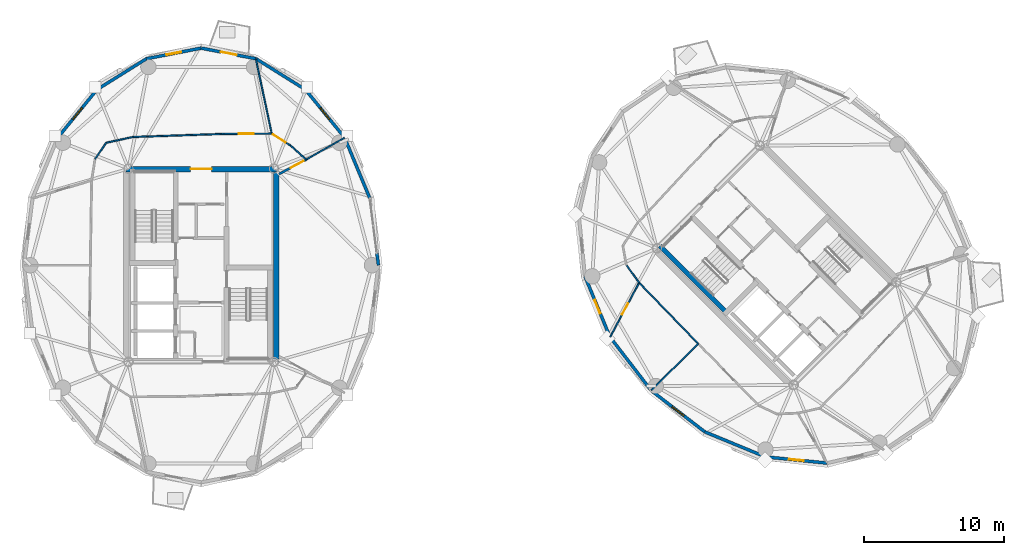
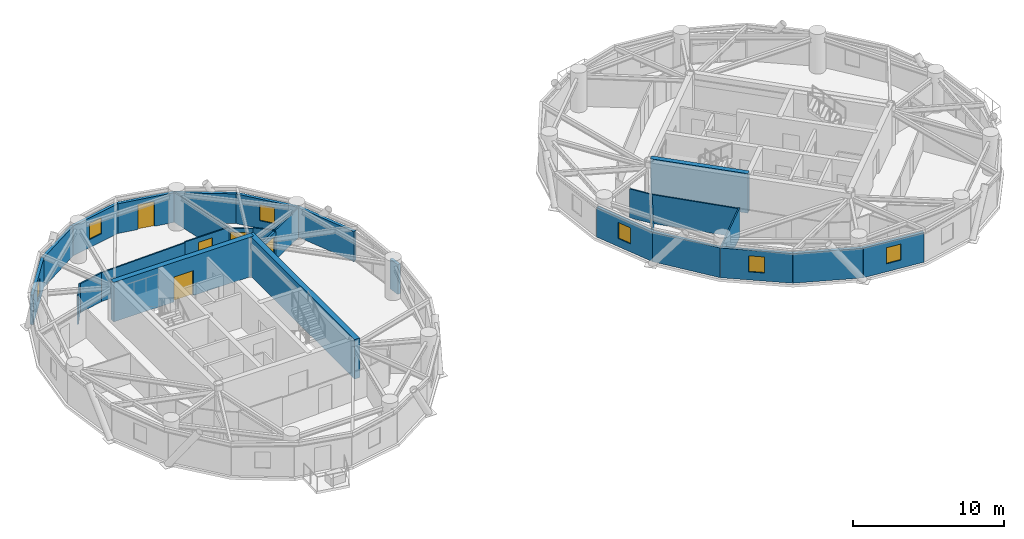
# One storey, part 9 of 15: 29 walls, 6 doors, 6 windows, 12 openings.
"""IFC4 building model written with IfcOpenShell, lengths in metres."""

from ifc_helpers import new_model, si_unit, direction, frame, frame_2d, origin, place, context, subcontext, project, spatial, rectangle, extrude, source, transform, mapped, material, layer, layer_set, type_object, element, fill, save


model = new_model("IFC4")

# Units and contexts
model_context = context("Model", 3, precision=1e-05, world=origin(), true_north=direction((0.0, 1.0)))
body_context = subcontext(model_context, "Body", "Model", "MODEL_VIEW")
ifc_project = project(units=[si_unit("LENGTHUNIT", "METRE"), si_unit("AREAUNIT", "SQUARE_METRE"), si_unit("VOLUMEUNIT", "CUBIC_METRE"), si_unit("PLANEANGLEUNIT", "RADIAN"), si_unit("MASSUNIT", "GRAM", prefix="KILO")], contexts=[model_context])

# Site, building, storey
site_placement = place(None, origin())
site = spatial("IfcSite", under=ifc_project, at=site_placement, CompositionType="ELEMENT")
building_placement = place(site_placement, origin())
building = spatial("IfcBuilding", under=site, at=building_placement, Name="Cununo Teusaquillo Station Towers", CompositionType="ELEMENT")
storey_placement = place(building_placement, frame((0.0, 0.0, 232.449951171875)))
storey = spatial("IfcBuildingStorey", under=building, at=storey_placement, Name="L74", CompositionType="ELEMENT", Elevation=232.449951171875)

# Walls
ifc_material_1 = material(Name="Concrete C50/60", Category="concrete")
ifc_layer_1 = layer(ifc_material_1, 0.35009765625)
ifc_layer_set_1 = layer_set([ifc_layer_1], Name="Concrete C50/60")
wall_type_1 = type_object("IfcWallType", Name="WL-CORE-350", PredefinedType="SHEAR", material=ifc_layer_set_1)
wall_1_placement = place(storey_placement, frame((53.922119140625, 21.14111328125, 0.0), z_axis=(0.0, 0.0, 1.0), x_axis=(-0.707106781187, 0.707106781187, 0.0)))
element("IfcWall", 1, at=wall_1_placement, inside=storey, type_object=wall_type_1, Name="L74 Tower B Core Shear Wall ST1W", PredefinedType="SHEAR", context=body_context, shape_type="SweptSolid", body=[
    extrude(rectangle(XDim=6.695068359375, YDim=0.35009765625, at=frame_2d((3.34765625, 0.0))), origin(), (0.0, 0.0, 1.0), 3.199951171875),
])
ifc_material_2 = material(Name="Concrete C50/60", Category="concrete")
ifc_layer_2 = layer(ifc_material_2, 0.39990234375)
ifc_layer_set_2 = layer_set([ifc_layer_2], Name="Concrete C50/60")
wall_type_2 = type_object("IfcWallType", Name="WL-CORE-400", PredefinedType="SHEAR", material=ifc_layer_set_2)
wall_2_placement = place(storey_placement, frame((21.85009765625, 17.449951171875, 0.0), z_axis=(0.0, 0.0, 1.0), x_axis=(0.0, 1.0, 0.0)))
element("IfcWall", 2, at=wall_2_placement, inside=storey, type_object=wall_type_2, Name="L74 Tower A Core Shear Wall E", PredefinedType="SHEAR", context=body_context, shape_type="SweptSolid", body=[
    extrude(rectangle(XDim=14.10009765625, YDim=0.39990234375, at=frame_2d((7.050048828125, 0.0))), origin(), (0.0, 0.0, 1.0), 3.199951171875),
])

# Wall, opening, door
wall_3_placement = place(storey_placement, frame((11.14990234375, 31.35009765625, 0.0), z_axis=(0.0, 0.0, 1.0), x_axis=(1.0, 0.0, 0.0)))
wall_3 = element("IfcWall", 3, at=wall_3_placement, inside=storey, type_object=wall_type_2, Name="L74 Tower A Core Shear Wall N", PredefinedType="SHEAR", context=body_context, shape_type="SweptSolid", body=[
    extrude(rectangle(XDim=10.7001953125, YDim=0.39990234375, at=frame_2d((5.35009765625, 0.0))), origin(), (0.0, 0.0, 1.0), 3.199951171875),
])
shared_shape_1 = source(origin(), body_context, "Body", "SweptSolid", [
    extrude(rectangle(XDim=1.5, YDim=2.02001953125, at=frame_2d((0.75, 1.010009765625))), frame((0.0, 0.2099609375, 0.0), z_axis=(0.0, -1.0, 0.0), x_axis=(1.0, 0.0, 0.0)), (0.0, 0.0, 1.0), 0.419921875),
])
opening_1_placement = place(wall_3_placement, frame((4.60009765625, 0.0, 0.0)))
opening_1 = element("IfcOpeningElement", 4, at=opening_1_placement, cuts=wall_3, Name="Opening D-LB1", PredefinedType="OPENING", context=body_context, shape_type="MappedRepresentation", body=[
    mapped(shared_shape_1, transform((0.0, 0.0, 0.0), x_axis=(1.0, 0.0, 0.0), y_axis=(0.0, 1.0, 0.0), z_axis=(0.0, 0.0, 1.0), scale=1.0)),
])
ifc_material_3 = material(Name="Galvanised fire-rated hollow steel door assembly", Category="steel")
door_type_1 = type_object("IfcDoorType", Name="DR-LOBBY-1500", OperationType="DOUBLE_DOOR_SINGLE_SWING", PredefinedType="DOOR", material=ifc_material_3)
shared_shape_2 = source(origin(), body_context, "Body", "SweptSolid", [
    extrude(rectangle(XDim=1.5, YDim=2.02001953125, at=frame_2d((0.75, 1.010009765625))), frame((0.0, 0.02490234375, 0.0), z_axis=(0.0, -1.0, 0.0), x_axis=(1.0, 0.0, 0.0)), (0.0, 0.0, 1.0), 0.050048828125),
])
door_1_placement = place(opening_1_placement, origin())
door_1 = element("IfcDoor", 5, at=door_1_placement, inside=storey, type_object=door_type_1, Name="L74 Tower A North Core Lift Lobby Door", OperationType="DOUBLE_DOOR_SINGLE_SWING", OverallHeight=2.02001953125, OverallWidth=1.5, PredefinedType="DOOR", context=body_context, shape_type="MappedRepresentation", body=[
    mapped(shared_shape_2, transform((0.0, 0.0, 0.0), x_axis=(1.0, 0.0, 0.0), y_axis=(0.0, 1.0, 0.0), z_axis=(0.0, 0.0, 1.0), scale=1.0)),
])
fill(opening_1, door_1)

# Walls
ifc_material_4 = material(Name="Precast concrete C40/50", Category="concrete")
ifc_layer_3 = layer(ifc_material_4, 0.219970703125)
ifc_layer_set_3 = layer_set([ifc_layer_3], Name="Precast concrete C40/50")
wall_type_3 = type_object("IfcWallType", Name="WL-EXT-220", PredefinedType="SOLIDWALL", material=ifc_layer_set_3)
wall_4_placement = place(storey_placement, frame((29.018310546875, 25.36279296875, 0.0), z_axis=(0.0, 0.0, 1.0), x_axis=(0.128247365719, -0.991742211054, 0.0)))
element("IfcWall", 6, at=wall_4_placement, inside=storey, type_object=wall_type_3, Name="L74 Tower A Column Pier Cladding Wall C00-PB", PredefinedType="SOLIDWALL", context=body_context, shape_type="SweptSolid", body=[
    extrude(rectangle(XDim=0.869873046875, YDim=0.219970703125, at=frame_2d((0.43505859375, 0.0))), origin(), (0.0, 0.0, 1.0), 2.402099609375),
])
wall_5_placement = place(storey_placement, frame((26.718017578125, 33.593017578125, 0.0), z_axis=(0.0, 0.0, 1.0), x_axis=(0.384036305194, -0.923317993052, 0.0)))
element("IfcWall", 7, at=wall_5_placement, inside=storey, type_object=wall_type_3, Name="L74 Tower A Exterior Facade Wall C01", PredefinedType="SOLIDWALL", context=body_context, shape_type="SweptSolid", body=[
    extrude(rectangle(XDim=4.670654296875, YDim=0.219970703125, at=frame_2d((2.33544921875, 0.0))), origin(), (0.0, 0.0, 1.0), 2.402099609375),
])

# Wall, opening, window
wall_6_placement = place(storey_placement, frame((23.923583984375, 37.015380859375, 0.0), z_axis=(0.0, 0.0, 1.0), x_axis=(0.632467166636, -0.774587169483, 0.0)))
wall_6 = element("IfcWall", 8, at=wall_6_placement, inside=storey, type_object=wall_type_3, Name="L74 Tower A Exterior Facade Wall C02", PredefinedType="SOLIDWALL", context=body_context, shape_type="SweptSolid", body=[
    extrude(rectangle(XDim=4.418212890625, YDim=0.219970703125, at=frame_2d((2.208984375, 0.0))), origin(), (0.0, 0.0, 1.0), 2.402099609375),
])
shared_shape_3 = source(origin(), body_context, "Body", "SweptSolid", [
    extrude(rectangle(XDim=1.050048828125, YDim=1.300048828125, at=frame_2d((0.52490234375, 0.64990234375))), frame((0.0, 0.119873046875, 0.0), z_axis=(0.0, -1.0, 0.0), x_axis=(1.0, 0.0, 0.0)), (0.0, 0.0, 1.0), 0.239990234375),
])
opening_2_placement = place(wall_6_placement, frame((1.68408203125, 0.0, 0.64990234375)))
opening_2 = element("IfcOpeningElement", 9, at=opening_2_placement, cuts=wall_6, Name="Opening WN-04", PredefinedType="OPENING", context=body_context, shape_type="MappedRepresentation", body=[
    mapped(shared_shape_3, transform((0.0, 0.0, 0.0), x_axis=(1.0, 0.0, 0.0), y_axis=(0.0, 1.0, 0.0), z_axis=(0.0, 0.0, 1.0), scale=1.0)),
])
ifc_material_5 = material(Name="Operable acoustic tinted low-E double glazing", Category="glass")
window_type = type_object("IfcWindowType", Name="WIN-BAL-1050", PartitioningType="SINGLE_PANEL", PredefinedType="WINDOW", material=ifc_material_5)
shared_shape_4 = source(origin(), body_context, "Body", "SweptSolid", [
    extrude(rectangle(XDim=1.050048828125, YDim=1.300048828125, at=frame_2d((0.52490234375, 0.64990234375))), frame((0.0, 0.030029296875, 0.0), z_axis=(0.0, -1.0, 0.0), x_axis=(1.0, 0.0, 0.0)), (0.0, 0.0, 1.0), 0.06005859375),
])
window_1_placement = place(opening_2_placement, origin())
window_1 = element("IfcWindow", 10, at=window_1_placement, inside=storey, type_object=window_type, Name="L74 Tower A Facade Window C02", OverallHeight=1.300048828125, OverallWidth=1.050048828125, PartitioningType="SINGLE_PANEL", PredefinedType="WINDOW", context=body_context, shape_type="MappedRepresentation", body=[
    mapped(shared_shape_4, transform((0.0, 0.0, 0.0), x_axis=(1.0, 0.0, 0.0), y_axis=(0.0, 1.0, 0.0), z_axis=(0.0, 0.0, 1.0), scale=1.0)),
])
fill(opening_2, window_1)

# Wall
wall_7_placement = place(storey_placement, frame((20.40283203125, 39.212890625, 0.0), z_axis=(0.0, 0.0, 1.0), x_axis=(0.848318713376, -0.529485939886, 0.0)))
element("IfcWall", 11, at=wall_7_placement, inside=storey, type_object=wall_type_3, Name="L74 Tower A Exterior Facade Wall C03", PredefinedType="SOLIDWALL", context=body_context, shape_type="SweptSolid", body=[
    extrude(rectangle(XDim=4.150390625, YDim=0.219970703125, at=frame_2d((2.0751953125, 0.0))), origin(), (0.0, 0.0, 1.0), 2.402099609375),
])

# Wall, opening, door
wall_8_placement = place(storey_placement, frame((16.5, 39.969970703125, 0.0), z_axis=(0.0, 0.0, 1.0), x_axis=(0.981700307484, -0.190432419211, 0.0)))
wall_8 = element("IfcWall", 12, at=wall_8_placement, inside=storey, type_object=wall_type_3, Name="L74 Tower A Exterior Facade Wall C04", PredefinedType="SOLIDWALL", context=body_context, shape_type="SweptSolid", body=[
    extrude(rectangle(XDim=3.9755859375, YDim=0.219970703125, at=frame_2d((1.98779296875, 0.0))), origin(), (0.0, 0.0, 1.0), 2.402099609375),
])
shared_shape_5 = source(origin(), body_context, "Body", "SweptSolid", [
    extrude(rectangle(XDim=1.14990234375, YDim=2.0048828125, at=frame_2d((0.574951171875, 1.00244140625))), frame((0.0, 0.119873046875, 0.0), z_axis=(0.0, -1.0, 0.0), x_axis=(1.0, 0.0, 0.0)), (0.0, 0.0, 1.0), 0.239990234375),
])
opening_3_placement = place(wall_8_placement, frame((1.4130859375, 0.0, 0.0)))
opening_3 = element("IfcOpeningElement", 13, at=opening_3_placement, cuts=wall_8, Name="Opening ED-03", PredefinedType="OPENING", context=body_context, shape_type="MappedRepresentation", body=[
    mapped(shared_shape_5, transform((0.0, 0.0, 0.0), x_axis=(1.0, 0.0, 0.0), y_axis=(0.0, 1.0, 0.0), z_axis=(0.0, 0.0, 1.0), scale=1.0)),
])
ifc_material_6 = material(Name="Anodised dark bronze aluminium EN AW-6063-T6", Category="aluminium")
door_type_2 = type_object("IfcDoorType", Name="DR-EXT-BAL", OperationType="NOTDEFINED", PredefinedType="DOOR", material=ifc_material_6)
shared_shape_6 = source(origin(), body_context, "Body", "SweptSolid", [
    extrude(rectangle(XDim=1.14990234375, YDim=2.0048828125, at=frame_2d((0.574951171875, 1.00244140625))), frame((0.0, 0.02490234375, 0.0), z_axis=(0.0, -1.0, 0.0), x_axis=(1.0, 0.0, 0.0)), (0.0, 0.0, 1.0), 0.050048828125),
])
door_2_placement = place(opening_3_placement, origin())
door_2 = element("IfcDoor", 14, at=door_2_placement, inside=storey, type_object=door_type_2, Name="L74 Tower A Tree Balcony Door C04", OperationType="SINGLE_SWING_LEFT", OverallHeight=2.0048828125, OverallWidth=1.14990234375, PredefinedType="DOOR", context=body_context, shape_type="MappedRepresentation", body=[
    mapped(shared_shape_6, transform((0.0, 0.0, 0.0), x_axis=(1.0, 0.0, 0.0), y_axis=(0.0, 1.0, 0.0), z_axis=(0.0, 0.0, 1.0), scale=1.0)),
])
fill(opening_3, door_2)

# Wall, opening, window
wall_9_placement = place(storey_placement, frame((12.59716796875, 39.212890625, 0.0), z_axis=(0.0, 0.0, 1.0), x_axis=(0.981700307484, 0.190432419211, 0.0)))
wall_9 = element("IfcWall", 15, at=wall_9_placement, inside=storey, type_object=wall_type_3, Name="L74 Tower A Exterior Facade Wall C05", PredefinedType="SOLIDWALL", context=body_context, shape_type="SweptSolid", body=[
    extrude(rectangle(XDim=3.9755859375, YDim=0.219970703125, at=frame_2d((1.98779296875, 0.0))), origin(), (0.0, 0.0, 1.0), 2.402099609375),
])
opening_4_placement = place(wall_9_placement, frame((1.462890625, 0.0, 0.64990234375)))
opening_4 = element("IfcOpeningElement", 16, at=opening_4_placement, cuts=wall_9, Name="Opening WN-04", PredefinedType="OPENING", context=body_context, shape_type="MappedRepresentation", body=[
    mapped(shared_shape_3, transform((0.0, 0.0, 0.0), x_axis=(1.0, 0.0, 0.0), y_axis=(0.0, 1.0, 0.0), z_axis=(0.0, 0.0, 1.0), scale=1.0)),
])
window_2_placement = place(opening_4_placement, origin())
window_2 = element("IfcWindow", 17, at=window_2_placement, inside=storey, type_object=window_type, Name="L74 Tower A Facade Window C05", OverallHeight=1.300048828125, OverallWidth=1.050048828125, PartitioningType="SINGLE_PANEL", PredefinedType="WINDOW", context=body_context, shape_type="MappedRepresentation", body=[
    mapped(shared_shape_4, transform((0.0, 0.0, 0.0), x_axis=(1.0, 0.0, 0.0), y_axis=(0.0, 1.0, 0.0), z_axis=(0.0, 0.0, 1.0), scale=1.0)),
])
fill(opening_4, window_2)

# Wall
wall_10_placement = place(storey_placement, frame((9.076416015625, 37.015380859375, 0.0), z_axis=(0.0, 0.0, 1.0), x_axis=(0.848318713376, 0.529485939886, 0.0)))
element("IfcWall", 18, at=wall_10_placement, inside=storey, type_object=wall_type_3, Name="L74 Tower A Exterior Facade Wall C06", PredefinedType="SOLIDWALL", context=body_context, shape_type="SweptSolid", body=[
    extrude(rectangle(XDim=4.150390625, YDim=0.219970703125, at=frame_2d((2.0751953125, 0.0))), origin(), (0.0, 0.0, 1.0), 2.402099609375),
])

# Wall, opening, window
wall_11_placement = place(storey_placement, frame((6.281982421875, 33.593017578125, 0.0), z_axis=(0.0, 0.0, 1.0), x_axis=(0.632467166636, 0.774587169483, 0.0)))
wall_11 = element("IfcWall", 19, at=wall_11_placement, inside=storey, type_object=wall_type_3, Name="L74 Tower A Exterior Facade Wall C07", PredefinedType="SOLIDWALL", context=body_context, shape_type="SweptSolid", body=[
    extrude(rectangle(XDim=4.418212890625, YDim=0.219970703125, at=frame_2d((2.208984375, 0.0))), origin(), (0.0, 0.0, 1.0), 2.402099609375),
])
opening_5_placement = place(wall_11_placement, frame((1.68408203125, 0.0, 0.64990234375)))
opening_5 = element("IfcOpeningElement", 20, at=opening_5_placement, cuts=wall_11, Name="Opening WN-04", PredefinedType="OPENING", context=body_context, shape_type="MappedRepresentation", body=[
    mapped(shared_shape_3, transform((0.0, 0.0, 0.0), x_axis=(1.0, 0.0, 0.0), y_axis=(0.0, 1.0, 0.0), z_axis=(0.0, 0.0, 1.0), scale=1.0)),
])
window_3_placement = place(opening_5_placement, origin())
window_3 = element("IfcWindow", 21, at=window_3_placement, inside=storey, type_object=window_type, Name="L74 Tower A Facade Window C07", OverallHeight=1.300048828125, OverallWidth=1.050048828125, PartitioningType="SINGLE_PANEL", PredefinedType="WINDOW", context=body_context, shape_type="MappedRepresentation", body=[
    mapped(shared_shape_4, transform((0.0, 0.0, 0.0), x_axis=(1.0, 0.0, 0.0), y_axis=(0.0, 1.0, 0.0), z_axis=(0.0, 0.0, 1.0), scale=1.0)),
])
fill(opening_5, window_3)

wall_12_placement = place(storey_placement, frame((45.626220703125, 19.38671875, 0.0), z_axis=(0.0, 0.0, 1.0), x_axis=(-0.381309704956, 0.924447353237, 0.0)))
wall_12 = element("IfcWall", 22, at=wall_12_placement, inside=storey, type_object=wall_type_3, Name="L74 Tower B Exterior Facade Wall C08", PredefinedType="SOLIDWALL", context=body_context, shape_type="SweptSolid", body=[
    extrude(rectangle(XDim=4.670654296875, YDim=0.219970703125, at=frame_2d((2.33544921875, 0.0))), origin(), (0.0, 0.0, 1.0), 2.402099609375),
])
opening_6_placement = place(wall_12_placement, frame((1.81005859375, 0.0, 0.64990234375)))
opening_6 = element("IfcOpeningElement", 23, at=opening_6_placement, cuts=wall_12, Name="Opening WN-04", PredefinedType="OPENING", context=body_context, shape_type="MappedRepresentation", body=[
    mapped(shared_shape_3, transform((0.0, 0.0, 0.0), x_axis=(1.0, 0.0, 0.0), y_axis=(0.0, 1.0, 0.0), z_axis=(0.0, 0.0, 1.0), scale=1.0)),
])
window_4_placement = place(opening_6_placement, origin())
window_4 = element("IfcWindow", 24, at=window_4_placement, inside=storey, type_object=window_type, Name="L74 Tower B Facade Window C08", OverallHeight=1.300048828125, OverallWidth=1.050048828125, PartitioningType="SINGLE_PANEL", PredefinedType="WINDOW", context=body_context, shape_type="MappedRepresentation", body=[
    mapped(shared_shape_4, transform((0.0, 0.0, 0.0), x_axis=(1.0, 0.0, 0.0), y_axis=(0.0, 1.0, 0.0), z_axis=(0.0, 0.0, 1.0), scale=1.0)),
])
fill(opening_6, window_4)

# Wall
wall_13_placement = place(storey_placement, frame((48.569091796875, 15.569091796875, 0.0), z_axis=(0.0, 0.0, 1.0), x_axis=(-0.610523083886, 0.791998462147, 0.0)))
element("IfcWall", 25, at=wall_13_placement, inside=storey, type_object=wall_type_3, Name="L74 Tower B Exterior Facade Wall C09", PredefinedType="SOLIDWALL", context=body_context, shape_type="SweptSolid", body=[
    extrude(rectangle(XDim=4.8203125, YDim=0.219970703125, at=frame_2d((2.41015625, 0.0))), origin(), (0.0, 0.0, 1.0), 2.402099609375),
])

# Wall, opening, window
wall_14_placement = place(storey_placement, frame((52.38671875, 12.626220703125, 0.0), z_axis=(0.0, 0.0, 1.0), x_axis=(-0.791998462147, 0.610523083886, 0.0)))
wall_14 = element("IfcWall", 26, at=wall_14_placement, inside=storey, type_object=wall_type_3, Name="L74 Tower B Exterior Facade Wall C10", PredefinedType="SOLIDWALL", context=body_context, shape_type="SweptSolid", body=[
    extrude(rectangle(XDim=4.8203125, YDim=0.219970703125, at=frame_2d((2.41015625, 0.0))), origin(), (0.0, 0.0, 1.0), 2.402099609375),
])
opening_7_placement = place(wall_14_placement, frame((1.885009765625, 0.0, 0.64990234375)))
opening_7 = element("IfcOpeningElement", 27, at=opening_7_placement, cuts=wall_14, Name="Opening WN-04", PredefinedType="OPENING", context=body_context, shape_type="MappedRepresentation", body=[
    mapped(shared_shape_3, transform((0.0, 0.0, 0.0), x_axis=(1.0, 0.0, 0.0), y_axis=(0.0, 1.0, 0.0), z_axis=(0.0, 0.0, 1.0), scale=1.0)),
])
window_5_placement = place(opening_7_placement, origin())
window_5 = element("IfcWindow", 28, at=window_5_placement, inside=storey, type_object=window_type, Name="L74 Tower B Facade Window C10", OverallHeight=1.300048828125, OverallWidth=1.050048828125, PartitioningType="SINGLE_PANEL", PredefinedType="WINDOW", context=body_context, shape_type="MappedRepresentation", body=[
    mapped(shared_shape_4, transform((0.0, 0.0, 0.0), x_axis=(1.0, 0.0, 0.0), y_axis=(0.0, 1.0, 0.0), z_axis=(0.0, 0.0, 1.0), scale=1.0)),
])
fill(opening_7, window_5)

# Wall
wall_15_placement = place(storey_placement, frame((56.70458984375, 10.84521484375, 0.0), z_axis=(0.0, 0.0, 1.0), x_axis=(-0.924447353237, 0.381309704956, 0.0)))
element("IfcWall", 29, at=wall_15_placement, inside=storey, type_object=wall_type_3, Name="L74 Tower B Exterior Facade Wall C11", PredefinedType="SOLIDWALL", context=body_context, shape_type="SweptSolid", body=[
    extrude(rectangle(XDim=4.670654296875, YDim=0.219970703125, at=frame_2d((2.33544921875, 0.0))), origin(), (0.0, 0.0, 1.0), 2.402099609375),
])

# Wall, opening, window
wall_16_placement = place(storey_placement, frame((61.100341796875, 10.40087890625, 0.0), z_axis=(0.0, 0.0, 1.0), x_axis=(-0.994929930991, 0.100570534541, 0.0)))
wall_16 = element("IfcWall", 30, at=wall_16_placement, inside=storey, type_object=wall_type_3, Name="L74 Tower B Exterior Facade Wall C12", PredefinedType="SOLIDWALL", context=body_context, shape_type="SweptSolid", body=[
    extrude(rectangle(XDim=4.418212890625, YDim=0.219970703125, at=frame_2d((2.208984375, 0.0))), origin(), (0.0, 0.0, 1.0), 2.402099609375),
])
opening_8_placement = place(wall_16_placement, frame((1.68408203125, 0.0, 0.64990234375)))
opening_8 = element("IfcOpeningElement", 31, at=opening_8_placement, cuts=wall_16, Name="Opening WN-04", PredefinedType="OPENING", context=body_context, shape_type="MappedRepresentation", body=[
    mapped(shared_shape_3, transform((0.0, 0.0, 0.0), x_axis=(1.0, 0.0, 0.0), y_axis=(0.0, 1.0, 0.0), z_axis=(0.0, 0.0, 1.0), scale=1.0)),
])
window_6_placement = place(opening_8_placement, origin())
window_6 = element("IfcWindow", 32, at=window_6_placement, inside=storey, type_object=window_type, Name="L74 Tower B Facade Window C12", OverallHeight=1.300048828125, OverallWidth=1.050048828125, PartitioningType="SINGLE_PANEL", PredefinedType="WINDOW", context=body_context, shape_type="MappedRepresentation", body=[
    mapped(shared_shape_4, transform((0.0, 0.0, 0.0), x_axis=(1.0, 0.0, 0.0), y_axis=(0.0, 1.0, 0.0), z_axis=(0.0, 0.0, 1.0), scale=1.0)),
])
fill(opening_8, window_6)

# Wall
ifc_material_7 = material(Name="Fire-rated gypsum plasterboard partition assembly", Category="gypsum")
ifc_layer_4 = layer(ifc_material_7, 0.10009765625)
ifc_layer_set_4 = layer_set([ifc_layer_4], Name="Fire-rated gypsum plasterboard partition assembly")
wall_type_4 = type_object("IfcWallType", Name="WL-PART-100", PredefinedType="MOVABLE", material=ifc_layer_set_4)
wall_17_placement = place(storey_placement, frame((23.979736328125, 32.02685546875, 0.0), z_axis=(0.0, 0.0, 1.0), x_axis=(-0.742353224332, 0.670008724065, 0.0)))
element("IfcWall", 33, at=wall_17_placement, inside=storey, type_object=wall_type_4, Name="L74 Tower A Corridor Ring Wall C02", PredefinedType="MOVABLE", context=body_context, shape_type="SweptSolid", body=[
    extrude(rectangle(XDim=1.48486328125, YDim=0.10009765625, at=frame_2d((0.742431640625, 0.0))), origin(), (0.0, 0.0, 1.0), 2.402099609375),
])

# Wall, opening, door
wall_18_placement = place(storey_placement, frame((22.87744140625, 33.021728515625, 0.0), z_axis=(0.0, 0.0, 1.0), x_axis=(-0.845895608855, 0.533348496689, 0.0)))
wall_18 = element("IfcWall", 34, at=wall_18_placement, inside=storey, type_object=wall_type_4, Name="L74 Tower A Corridor Ring Wall C03", PredefinedType="MOVABLE", context=body_context, shape_type="SweptSolid", body=[
    extrude(rectangle(XDim=1.5966796875, YDim=0.10009765625, at=frame_2d((0.79833984375, 0.0))), origin(), (0.0, 0.0, 1.0), 2.3349609375),
])
shared_shape_7 = source(origin(), body_context, "Body", "SweptSolid", [
    extrude(rectangle(XDim=1.050048828125, YDim=2.014892578125, at=frame_2d((0.52490234375, 1.00732421875))), frame((0.0, 0.06005859375, 0.0), z_axis=(0.0, -1.0, 0.0), x_axis=(1.0, 0.0, 0.0)), (0.0, 0.0, 1.0), 0.1201171875),
])
opening_9_placement = place(wall_18_placement, frame((0.4267578125, 0.0, 0.0)))
opening_9 = element("IfcOpeningElement", 35, at=opening_9_placement, cuts=wall_18, Name="Opening D-SU1", PredefinedType="OPENING", context=body_context, shape_type="MappedRepresentation", body=[
    mapped(shared_shape_7, transform((0.0, 0.0, 0.0), x_axis=(1.0, 0.0, 0.0), y_axis=(0.0, 1.0, 0.0), z_axis=(0.0, 0.0, 1.0), scale=1.0)),
])
ifc_material_8 = material(Name="Acoustic solid-core hardwood leaf assembly", Category="wood")
door_type_3 = type_object("IfcDoorType", Name="DR-SUITE-1050", OperationType="NOTDEFINED", PredefinedType="DOOR", material=ifc_material_8)
shared_shape_8 = source(origin(), body_context, "Body", "SweptSolid", [
    extrude(rectangle(XDim=1.050048828125, YDim=2.014892578125, at=frame_2d((0.52490234375, 1.00732421875))), frame((0.0, 0.02490234375, 0.0), z_axis=(0.0, -1.0, 0.0), x_axis=(1.0, 0.0, 0.0)), (0.0, 0.0, 1.0), 0.050048828125),
])
door_3_placement = place(opening_9_placement, origin())
door_3 = element("IfcDoor", 36, at=door_3_placement, inside=storey, type_object=door_type_3, Name="L74 Tower A Observatory Ticket & Audio Desk Entrance Door", OperationType="SINGLE_SWING_LEFT", OverallHeight=2.014892578125, OverallWidth=1.050048828125, PredefinedType="DOOR", context=body_context, shape_type="MappedRepresentation", body=[
    mapped(shared_shape_8, transform((0.0, 0.0, 0.0), x_axis=(1.0, 0.0, 0.0), y_axis=(0.0, 1.0, 0.0), z_axis=(0.0, 0.0, 1.0), scale=1.0)),
])
fill(opening_9, door_3)

wall_19_placement = place(storey_placement, frame((21.52685546875, 33.873291015625, 0.0), z_axis=(0.0, 0.0, 1.0), x_axis=(-0.999991838845, -0.004040079574, 0.0)))
wall_19 = element("IfcWall", 37, at=wall_19_placement, inside=storey, type_object=wall_type_4, Name="L74 Tower A Corridor Ring Wall C04", PredefinedType="MOVABLE", context=body_context, shape_type="SweptSolid", body=[
    extrude(rectangle(XDim=3.384033203125, YDim=0.10009765625, at=frame_2d((1.69189453125, 0.0))), origin(), (0.0, 0.0, 1.0), 2.402099609375),
])
opening_10_placement = place(wall_19_placement, frame((1.2978515625, 0.0, 0.0)))
opening_10 = element("IfcOpeningElement", 38, at=opening_10_placement, cuts=wall_19, Name="Opening D-SU1", PredefinedType="OPENING", context=body_context, shape_type="MappedRepresentation", body=[
    mapped(shared_shape_7, transform((0.0, 0.0, 0.0), x_axis=(1.0, 0.0, 0.0), y_axis=(0.0, 1.0, 0.0), z_axis=(0.0, 0.0, 1.0), scale=1.0)),
])
door_4_placement = place(opening_10_placement, origin())
door_4 = element("IfcDoor", 39, at=door_4_placement, inside=storey, type_object=door_type_3, Name="L74 Tower A North Bogota Sabana Viewing Gallery Entrance Door", OperationType="SINGLE_SWING_RIGHT", OverallHeight=2.014892578125, OverallWidth=1.050048828125, PredefinedType="DOOR", context=body_context, shape_type="MappedRepresentation", body=[
    mapped(shared_shape_8, transform((0.0, 0.0, 0.0), x_axis=(1.0, 0.0, 0.0), y_axis=(0.0, 1.0, 0.0), z_axis=(0.0, 0.0, 1.0), scale=1.0)),
])
fill(opening_10, door_4)

# Walls
wall_20_placement = place(storey_placement, frame((18.142822265625, 33.859619140625, 0.0), z_axis=(0.0, 0.0, 1.0), x_axis=(-0.999419208319, -0.034077060363, 0.0)))
element("IfcWall", 40, at=wall_20_placement, inside=storey, type_object=wall_type_4, Name="L74 Tower A Corridor Ring Wall C05", PredefinedType="MOVABLE", context=body_context, shape_type="SweptSolid", body=[
    extrude(rectangle(XDim=6.52685546875, YDim=0.10009765625, at=frame_2d((3.263427734375, 0.0))), origin(), (0.0, 0.0, 1.0), 2.3349609375),
])
wall_21_placement = place(storey_placement, frame((11.619873046875, 33.63720703125, 0.0), z_axis=(0.0, 0.0, 1.0), x_axis=(-0.97702579435, -0.213121085711, 0.0)))
element("IfcWall", 41, at=wall_21_placement, inside=storey, type_object=wall_type_4, Name="L74 Tower A Corridor Ring Wall C06", PredefinedType="MOVABLE", context=body_context, shape_type="SweptSolid", body=[
    extrude(rectangle(XDim=1.934814453125, YDim=0.10009765625, at=frame_2d((0.96728515625, 0.0))), origin(), (0.0, 0.0, 1.0), 2.3349609375),
])
wall_22_placement = place(storey_placement, frame((9.7294921875, 33.224853515625, 0.0), z_axis=(0.0, 0.0, 1.0), x_axis=(-0.567183649484, -0.82359134755, 0.0)))
element("IfcWall", 42, at=wall_22_placement, inside=storey, type_object=wall_type_4, Name="L74 Tower A Corridor Ring Wall C07", PredefinedType="MOVABLE", context=body_context, shape_type="SweptSolid", body=[
    extrude(rectangle(XDim=1.39208984375, YDim=0.10009765625, at=frame_2d((0.696044921875, 0.0))), origin(), (0.0, 0.0, 1.0), 2.402099609375),
])
wall_23_placement = place(storey_placement, frame((23.979736328125, 32.02685546875, 0.0), z_axis=(0.0, 0.0, 1.0), x_axis=(0.868372526378, 0.495912447345, 0.0)))
element("IfcWall", 43, at=wall_23_placement, inside=storey, type_object=wall_type_4, Name="L74 Tower A Radial Suite Partition R01", PredefinedType="MOVABLE", context=body_context, shape_type="SweptSolid", body=[
    extrude(rectangle(XDim=3.134521484375, YDim=0.10009765625, at=frame_2d((1.5673828125, 0.0))), origin(), (0.0, 0.0, 1.0), 2.402099609375),
])
wall_24_placement = place(storey_placement, frame((21.52685546875, 33.873291015625, 0.0), z_axis=(0.0, 0.0, 1.0), x_axis=(-0.207772326864, 0.97817721308, 0.0)))
element("IfcWall", 44, at=wall_24_placement, inside=storey, type_object=wall_type_4, Name="L74 Tower A Radial Suite Partition R02", PredefinedType="MOVABLE", context=body_context, shape_type="SweptSolid", body=[
    extrude(rectangle(XDim=5.439208984375, YDim=0.10009765625, at=frame_2d((2.7197265625, 0.0))), origin(), (0.0, 0.0, 1.0), 2.402099609375),
])
wall_25_placement = place(storey_placement, frame((46.79541015625, 24.512939453125, 0.0), z_axis=(0.0, 0.0, 1.0), x_axis=(0.585628197524, -0.810579801294, 0.0)))
element("IfcWall", 45, at=wall_25_placement, inside=storey, type_object=wall_type_4, Name="L74 Tower B Corridor Ring Wall C08", PredefinedType="MOVABLE", context=body_context, shape_type="SweptSolid", body=[
    extrude(rectangle(XDim=1.55419921875, YDim=0.10009765625, at=frame_2d((0.777099609375, 0.0))), origin(), (0.0, 0.0, 1.0), 2.3349609375),
])
wall_26_placement = place(storey_placement, frame((47.70556640625, 23.253173828125, 0.0), z_axis=(0.0, 0.0, 1.0), x_axis=(0.696179266346, -0.717867974707, 0.0)))
element("IfcWall", 46, at=wall_26_placement, inside=storey, type_object=wall_type_4, Name="L74 Tower B Corridor Ring Wall C09", PredefinedType="MOVABLE", context=body_context, shape_type="SweptSolid", body=[
    extrude(rectangle(XDim=6.044677734375, YDim=0.10009765625, at=frame_2d((3.0224609375, 0.0))), origin(), (0.0, 0.0, 1.0), 2.3349609375),
])
wall_27_placement = place(storey_placement, frame((51.913818359375, 18.913818359375, 0.0), z_axis=(0.0, 0.0, 1.0), x_axis=(-0.707106781187, -0.707106781187, 0.0)))
element("IfcWall", 47, at=wall_27_placement, inside=storey, type_object=wall_type_4, Name="L74 Tower B Radial Suite Partition R03", PredefinedType="MOVABLE", context=body_context, shape_type="SweptSolid", body=[
    extrude(rectangle(XDim=4.709716796875, YDim=0.10009765625, at=frame_2d((2.35498046875, 0.0))), origin(), (0.0, 0.0, 1.0), 2.402099609375),
])

# Wall, opening, door
wall_28_placement = place(storey_placement, frame((47.70556640625, 23.253173828125, 0.0), z_axis=(0.0, 0.0, 1.0), x_axis=(-0.471384756618, -0.881927667799, 0.0)))
wall_28 = element("IfcWall", 48, at=wall_28_placement, inside=storey, type_object=wall_type_4, Name="L74 Tower B North Bogota Sabana Viewing Gallery Suite Subdividing Wall", PredefinedType="MOVABLE", context=body_context, shape_type="SweptSolid", body=[
    extrude(rectangle(XDim=4.373779296875, YDim=0.10009765625, at=frame_2d((2.18701171875, 0.0))), origin(), (0.0, 0.0, 1.0), 2.3349609375),
])
shared_shape_9 = source(origin(), body_context, "Body", "SweptSolid", [
    extrude(rectangle(XDim=0.89990234375, YDim=2.0048828125, at=frame_2d((0.449951171875, 1.00244140625))), frame((0.0, 0.06005859375, 0.0), z_axis=(0.0, -1.0, 0.0), x_axis=(1.0, 0.0, 0.0)), (0.0, 0.0, 1.0), 0.1201171875),
])
opening_11_placement = place(wall_28_placement, frame((1.673828125, 0.0, 0.0)))
opening_11 = element("IfcOpeningElement", 49, at=opening_11_placement, cuts=wall_28, Name="Opening D-IN1", PredefinedType="OPENING", context=body_context, shape_type="MappedRepresentation", body=[
    mapped(shared_shape_9, transform((0.0, 0.0, 0.0), x_axis=(1.0, 0.0, 0.0), y_axis=(0.0, 1.0, 0.0), z_axis=(0.0, 0.0, 1.0), scale=1.0)),
])
ifc_material_9 = material(Name="Acoustic solid-core hardwood leaf assembly", Category="wood")
door_type_4 = type_object("IfcDoorType", Name="DR-INT-900", OperationType="NOTDEFINED", PredefinedType="DOOR", material=ifc_material_9)
shared_shape_10 = source(origin(), body_context, "Body", "SweptSolid", [
    extrude(rectangle(XDim=0.89990234375, YDim=2.0048828125, at=frame_2d((0.449951171875, 1.00244140625))), frame((0.0, 0.02490234375, 0.0), z_axis=(0.0, -1.0, 0.0), x_axis=(1.0, 0.0, 0.0)), (0.0, 0.0, 1.0), 0.050048828125),
])
door_5_placement = place(opening_11_placement, origin())
door_5 = element("IfcDoor", 50, at=door_5_placement, inside=storey, type_object=door_type_4, Name="L74 Tower B North Bogota Sabana Viewing Gallery Suite Connecting Door", OperationType="SINGLE_SWING_LEFT", OverallHeight=2.0048828125, OverallWidth=0.89990234375, PredefinedType="DOOR", context=body_context, shape_type="MappedRepresentation", body=[
    mapped(shared_shape_10, transform((0.0, 0.0, 0.0), x_axis=(1.0, 0.0, 0.0), y_axis=(0.0, 1.0, 0.0), z_axis=(0.0, 0.0, 1.0), scale=1.0)),
])
fill(opening_11, door_5)

ifc_material_10 = material(Name="Fire-rated gypsum plasterboard partition assembly", Category="gypsum")
ifc_layer_5 = layer(ifc_material_10, 0.159912109375)
ifc_layer_set_5 = layer_set([ifc_layer_5], Name="Fire-rated gypsum plasterboard partition assembly")
wall_type_5 = type_object("IfcWallType", Name="WL-PART-160", PredefinedType="PARTITIONING", material=ifc_layer_set_5)
wall_29_placement = place(storey_placement, frame((22.050048828125, 31.0, 0.0), z_axis=(0.0, 0.0, 1.0), x_axis=(0.882791584709, 0.469764853908, 0.0)))
wall_29 = element("IfcWall", 51, at=wall_29_placement, inside=storey, type_object=wall_type_5, Name="L74 Tower A East Salon Corridor Portal Wall NE", PredefinedType="PARTITIONING", context=body_context, shape_type="SweptSolid", body=[
    extrude(rectangle(XDim=2.185791015625, YDim=0.159912109375, at=frame_2d((1.0927734375, 0.0))), origin(), (0.0, 0.0, 1.0), 2.3349609375),
])
shared_shape_11 = source(origin(), body_context, "Body", "SweptSolid", [
    extrude(rectangle(XDim=1.050048828125, YDim=2.014892578125, at=frame_2d((0.52490234375, 1.00732421875))), frame((0.0, 0.08984375, 0.0), z_axis=(0.0, -1.0, 0.0), x_axis=(1.0, 0.0, 0.0)), (0.0, 0.0, 1.0), 0.179931640625),
])
opening_12_placement = place(wall_29_placement, frame((0.93603515625, 0.0, 0.0)))
opening_12 = element("IfcOpeningElement", 52, at=opening_12_placement, cuts=wall_29, Name="Opening D-SU1", PredefinedType="OPENING", context=body_context, shape_type="MappedRepresentation", body=[
    mapped(shared_shape_11, transform((0.0, 0.0, 0.0), x_axis=(1.0, 0.0, 0.0), y_axis=(0.0, 1.0, 0.0), z_axis=(0.0, 0.0, 1.0), scale=1.0)),
])
door_6_placement = place(opening_12_placement, origin())
door_6 = element("IfcDoor", 53, at=door_6_placement, inside=storey, type_object=door_type_3, Name="L74 Tower A East Panorama Sky Salon Door NE", OperationType="SINGLE_SWING_LEFT", OverallHeight=2.014892578125, OverallWidth=1.050048828125, PredefinedType="DOOR", context=body_context, shape_type="MappedRepresentation", body=[
    mapped(shared_shape_8, transform((0.0, 0.0, 0.0), x_axis=(1.0, 0.0, 0.0), y_axis=(0.0, 1.0, 0.0), z_axis=(0.0, 0.0, 1.0), scale=1.0)),
])
fill(opening_12, door_6)

save(model, "model.ifc")
